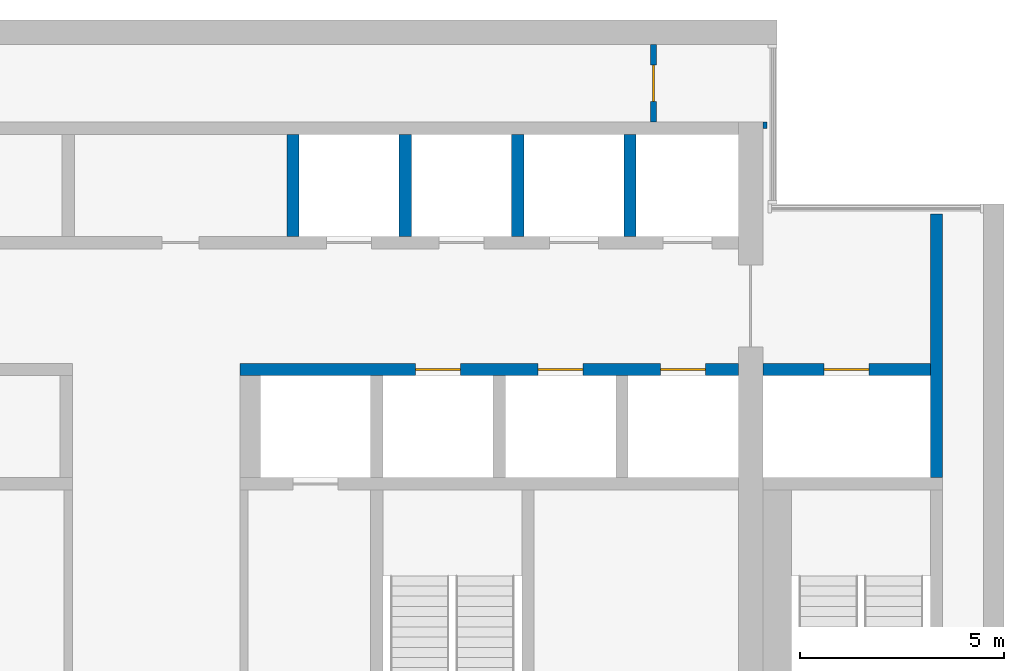
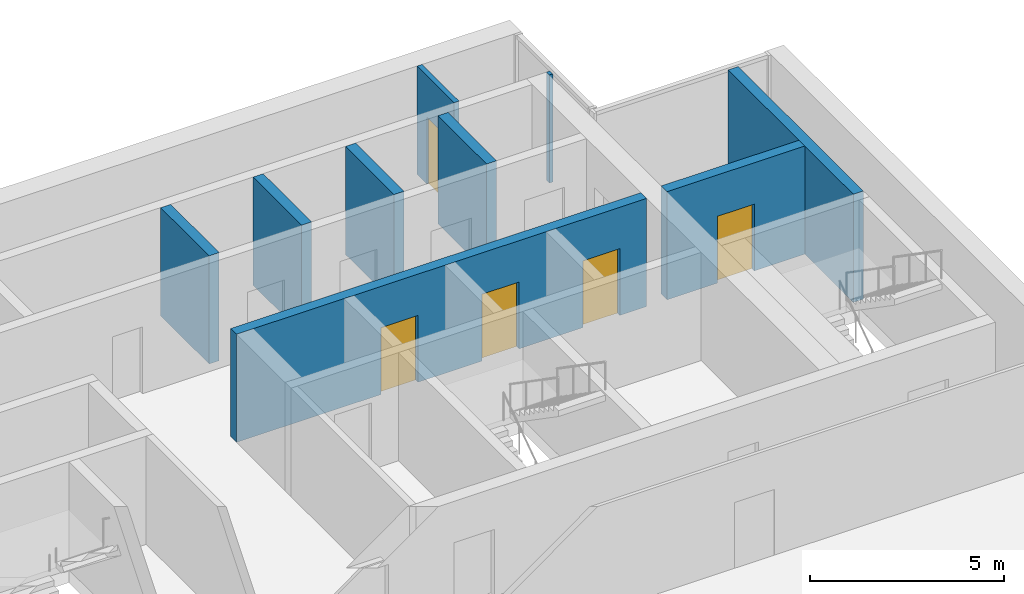
# One storey, part 11 of 14: 9 walls, 5 doors, 5 openings.
"""IFC4 building model written with IfcOpenShell, lengths in metres."""

from ifc_helpers import new_model, si_unit, direction, frame, frame_2d, origin, place, context, subcontext, project, spatial, rectangle, extrude, material, layer, layer_set, type_object, element, fill, save


model = new_model("IFC4")

# Units and contexts
model_context = context("Model", 3, precision=1e-05, world=origin(), true_north=direction((0.0, 1.0)))
body_context = subcontext(model_context, "Body", "Model", "MODEL_VIEW")
ifc_project = project(units=[si_unit("LENGTHUNIT", "METRE"), si_unit("AREAUNIT", "SQUARE_METRE"), si_unit("VOLUMEUNIT", "CUBIC_METRE"), si_unit("PLANEANGLEUNIT", "RADIAN"), si_unit("MASSUNIT", "GRAM", prefix="KILO")], contexts=[model_context])

# Site, building, storey
site_placement = place(None, origin())
site = spatial("IfcSite", under=ifc_project, at=site_placement, CompositionType="ELEMENT")
building_placement = place(site_placement, origin())
building = spatial("IfcBuilding", under=site, at=building_placement, Name="Calvaro Tower", CompositionType="ELEMENT")
storey_placement = place(building_placement, frame((0.0, 0.0, 258.35009765625)))
storey = spatial("IfcBuildingStorey", under=building, at=storey_placement, Name="L65", CompositionType="ELEMENT", Elevation=258.35009765625)

# Wall
ifc_material_1 = material(Name="Blockwork partition", Category="masonry")
ifc_layer_1 = layer(ifc_material_1, 0.10009765625)
ifc_layer_set_1 = layer_set([ifc_layer_1], Name="Blockwork partition")
wall_type_1 = type_object("IfcWallType", Name="Core partition 100 EI 60", PredefinedType="PARTITIONING", material=ifc_layer_set_1)
wall_1_placement = place(storey_placement, frame((60.14990234375, 43.35009765625, 0.0), z_axis=(0.0, 0.0, 1.0), x_axis=(0.0, 1.0, 0.0)))
element("IfcWall", 1, at=wall_1_placement, inside=storey, type_object=wall_type_1, Name="Core partition", PredefinedType="PARTITIONING", context=body_context, shape_type="SweptSolid", body=[
    extrude(rectangle(XDim=0.14990234375, YDim=0.10009765625, at=frame_2d((0.074951171875, 0.0))), origin(), (0.0, 0.0, 1.0), 3.39990234375),
])

# Wall, opening, door
ifc_material_2 = material(Name="Blockwork partition", Category="masonry")
ifc_layer_2 = layer(ifc_material_2, 0.14990234375)
ifc_layer_set_2 = layer_set([ifc_layer_2], Name="Blockwork partition")
wall_type_2 = type_object("IfcWallType", Name="Core partition 150 EI 60", PredefinedType="PARTITIONING", material=ifc_layer_set_2)
wall_2_placement = place(storey_placement, frame((57.425048828125, 45.39990234375, 0.0), z_axis=(0.0, 0.0, 1.0), x_axis=(0.0, -1.0, 0.0)))
wall_2 = element("IfcWall", 2, at=wall_2_placement, inside=storey, type_object=wall_type_2, Name="Core partition", PredefinedType="PARTITIONING", context=body_context, shape_type="SweptSolid", body=[
    extrude(rectangle(XDim=1.89990234375, YDim=0.14990234375, at=frame_2d((0.949951171875, 0.0))), origin(), (0.0, 0.0, 1.0), 3.39990234375),
])
opening_1_placement = place(wall_2_placement, frame((0.5, 0.0, 0.0)))
opening_1 = element("IfcOpeningElement", 3, at=opening_1_placement, cuts=wall_2, Name="Opening RD9C", PredefinedType="OPENING", context=body_context, shape_type="SweptSolid", body=[
    extrude(rectangle(XDim=0.89990234375, YDim=2.10009765625, at=frame_2d((0.449951171875, 1.050048828125))), frame((0.0, 0.0849609375, 0.0), z_axis=(0.0, -1.0, 0.0), x_axis=(1.0, 0.0, 0.0)), (0.0, 0.0, 1.0), 0.169921875),
])
ifc_material_3 = material(Name="Steel door set", Category="steel")
door_type_1 = type_object("IfcDoorType", Name="Room door 900 FD30", OperationType="SINGLE_SWING_LEFT", PredefinedType="DOOR", material=ifc_material_3)
door_1_placement = place(opening_1_placement, origin())
door_1 = element("IfcDoor", 4, at=door_1_placement, inside=storey, type_object=door_type_1, Name="Room door", OperationType="SINGLE_SWING_LEFT", OverallHeight=2.10009765625, OverallWidth=0.89990234375, PredefinedType="DOOR", context=body_context, shape_type="SweptSolid", body=[
    extrude(rectangle(XDim=0.89990234375, YDim=2.10009765625, at=frame_2d((0.449951171875, 1.050048828125))), frame((0.0, 0.02490234375, 0.0), z_axis=(0.0, -1.0, 0.0), x_axis=(1.0, 0.0, 0.0)), (0.0, 0.0, 1.0), 0.050048828125),
])
fill(opening_1, door_1)

# Wall
ifc_material_4 = material(Name="Concrete C40/50", Category="concrete")
ifc_layer_3 = layer(ifc_material_4, 0.300048828125)
ifc_layer_set_3 = layer_set([ifc_layer_3], Name="Concrete C40/50")
wall_type_3 = type_object("IfcWallType", Name="Core wall C40/50 300", PredefinedType="SHEAR", material=ifc_layer_set_3)
wall_3_placement = place(storey_placement, frame((64.35009765625, 34.800048828125, 0.0), z_axis=(0.0, 0.0, 1.0), x_axis=(0.0, 1.0, 0.0)))
element("IfcWall", 5, at=wall_3_placement, inside=storey, type_object=wall_type_3, Name="Core wall, boundary", PredefinedType="SHEAR", context=body_context, shape_type="SweptSolid", body=[
    extrude(rectangle(XDim=6.449951171875, YDim=0.300048828125, at=frame_2d((3.22509765625, 0.0))), origin(), (0.0, 0.0, 1.0), 3.39990234375),
])

# Wall, openings, doors
wall_4_placement = place(storey_placement, frame((47.300048828125, 37.449951171875, 0.0), z_axis=(0.0, 0.0, 1.0), x_axis=(1.0, 0.0, 0.0)))
wall_4 = element("IfcWall", 6, at=wall_4_placement, inside=storey, type_object=wall_type_3, Name="Core wall, lift shaft", PredefinedType="SHEAR", context=body_context, shape_type="SweptSolid", body=[
    extrude(rectangle(XDim=12.199951171875, YDim=0.300048828125, at=frame_2d((6.10009765625, 0.0))), origin(), (0.0, 0.0, 1.0), 3.39990234375),
])
opening_2_placement = place(wall_4_placement, frame((4.300048828125, 0.0, 0.0)))
opening_2 = element("IfcOpeningElement", 7, at=opening_2_placement, cuts=wall_4, Name="Opening HR1", PredefinedType="OPENING", context=body_context, shape_type="SweptSolid", body=[
    extrude(rectangle(XDim=1.10009765625, YDim=2.10009765625, at=frame_2d((0.550048828125, 1.050048828125))), frame((0.0, 0.159912109375, 0.0), z_axis=(0.0, -1.0, 0.0), x_axis=(1.0, 0.0, 0.0)), (0.0, 0.0, 1.0), 0.320068359375),
])
opening_3_placement = place(wall_4_placement, frame((7.300048828125, 0.0, 0.0)))
opening_3 = element("IfcOpeningElement", 8, at=opening_3_placement, cuts=wall_4, Name="Opening HR2", PredefinedType="OPENING", context=body_context, shape_type="SweptSolid", body=[
    extrude(rectangle(XDim=1.10009765625, YDim=2.10009765625, at=frame_2d((0.550048828125, 1.050048828125))), frame((0.0, 0.159912109375, 0.0), z_axis=(0.0, -1.0, 0.0), x_axis=(1.0, 0.0, 0.0)), (0.0, 0.0, 1.0), 0.320068359375),
])
opening_4_placement = place(wall_4_placement, frame((10.300048828125, 0.0, 0.0)))
opening_4 = element("IfcOpeningElement", 9, at=opening_4_placement, cuts=wall_4, Name="Opening HR3", PredefinedType="OPENING", context=body_context, shape_type="SweptSolid", body=[
    extrude(rectangle(XDim=1.10009765625, YDim=2.10009765625, at=frame_2d((0.550048828125, 1.050048828125))), frame((0.0, 0.159912109375, 0.0), z_axis=(0.0, -1.0, 0.0), x_axis=(1.0, 0.0, 0.0)), (0.0, 0.0, 1.0), 0.320068359375),
])
ifc_material_5 = material(Name="Stainless steel", Category="steel")
door_type_2 = type_object("IfcDoorType", Name="Landing door 1100 E 60", OperationType="SLIDING_TO_LEFT", PredefinedType="DOOR", material=ifc_material_5)
door_2_placement = place(opening_2_placement, origin())
door_2 = element("IfcDoor", 10, at=door_2_placement, inside=storey, type_object=door_type_2, Name="Landing door HR1", OperationType="SLIDING_TO_LEFT", OverallHeight=2.10009765625, OverallWidth=1.10009765625, PredefinedType="DOOR", context=body_context, shape_type="SweptSolid", body=[
    extrude(rectangle(XDim=1.10009765625, YDim=2.10009765625, at=frame_2d((0.550048828125, 1.050048828125))), frame((0.0, 0.02490234375, 0.0), z_axis=(0.0, -1.0, 0.0), x_axis=(1.0, 0.0, 0.0)), (0.0, 0.0, 1.0), 0.050048828125),
])
fill(opening_2, door_2)
door_3_placement = place(opening_3_placement, origin())
door_3 = element("IfcDoor", 11, at=door_3_placement, inside=storey, type_object=door_type_2, Name="Landing door HR2", OperationType="SLIDING_TO_LEFT", OverallHeight=2.10009765625, OverallWidth=1.10009765625, PredefinedType="DOOR", context=body_context, shape_type="SweptSolid", body=[
    extrude(rectangle(XDim=1.10009765625, YDim=2.10009765625, at=frame_2d((0.550048828125, 1.050048828125))), frame((0.0, 0.02490234375, 0.0), z_axis=(0.0, -1.0, 0.0), x_axis=(1.0, 0.0, 0.0)), (0.0, 0.0, 1.0), 0.050048828125),
])
fill(opening_3, door_3)
door_4_placement = place(opening_4_placement, origin())
door_4 = element("IfcDoor", 12, at=door_4_placement, inside=storey, type_object=door_type_2, Name="Landing door HR3", OperationType="SLIDING_TO_LEFT", OverallHeight=2.10009765625, OverallWidth=1.10009765625, PredefinedType="DOOR", context=body_context, shape_type="SweptSolid", body=[
    extrude(rectangle(XDim=1.10009765625, YDim=2.10009765625, at=frame_2d((0.550048828125, 1.050048828125))), frame((0.0, 0.02490234375, 0.0), z_axis=(0.0, -1.0, 0.0), x_axis=(1.0, 0.0, 0.0)), (0.0, 0.0, 1.0), 0.050048828125),
])
fill(opening_4, door_4)

# Wall, opening, door
wall_5_placement = place(storey_placement, frame((60.10009765625, 37.449951171875, 0.0), z_axis=(0.0, 0.0, 1.0), x_axis=(1.0, 0.0, 0.0)))
wall_5 = element("IfcWall", 13, at=wall_5_placement, inside=storey, type_object=wall_type_3, Name="Core wall, lift shaft", PredefinedType="SHEAR", context=body_context, shape_type="SweptSolid", body=[
    extrude(rectangle(XDim=4.099853515625, YDim=0.300048828125, at=frame_2d((2.0498046875, 0.0))), origin(), (0.0, 0.0, 1.0), 3.39990234375),
])
opening_5_placement = place(wall_5_placement, frame((1.5, 0.0, 0.0)))
opening_5 = element("IfcOpeningElement", 14, at=opening_5_placement, cuts=wall_5, Name="Opening FF3", PredefinedType="OPENING", context=body_context, shape_type="SweptSolid", body=[
    extrude(rectangle(XDim=1.10009765625, YDim=2.10009765625, at=frame_2d((0.550048828125, 1.050048828125))), frame((0.0, 0.159912109375, 0.0), z_axis=(0.0, -1.0, 0.0), x_axis=(1.0, 0.0, 0.0)), (0.0, 0.0, 1.0), 0.320068359375),
])
door_5_placement = place(opening_5_placement, origin())
door_5 = element("IfcDoor", 15, at=door_5_placement, inside=storey, type_object=door_type_2, Name="Landing door FF3", OperationType="SLIDING_TO_LEFT", OverallHeight=2.10009765625, OverallWidth=1.10009765625, PredefinedType="DOOR", context=body_context, shape_type="SweptSolid", body=[
    extrude(rectangle(XDim=1.10009765625, YDim=2.10009765625, at=frame_2d((0.550048828125, 1.050048828125))), frame((0.0, 0.02490234375, 0.0), z_axis=(0.0, -1.0, 0.0), x_axis=(1.0, 0.0, 0.0)), (0.0, 0.0, 1.0), 0.050048828125),
])
fill(opening_5, door_5)

# Walls
for number, where, z_axis, x_axis, name in (
    (16, (48.60009765625, 40.699951171875, 0.0), (0.0, 0.0, 1.0), (0.0, 1.0, 0.0), "Core wall, lift shaft"),
    (17, (51.35009765625, 40.699951171875, 0.0), (0.0, 0.0, 1.0), (0.0, 1.0, 0.0), "Core wall, lift shaft"),
    (18, (54.10009765625, 40.699951171875, 0.0), (0.0, 0.0, 1.0), (0.0, 1.0, 0.0), "Core wall, lift shaft"),
    (19, (56.85009765625, 40.699951171875, 0.0), (0.0, 0.0, 1.0), (0.0, 1.0, 0.0), "Core wall, lift shaft"),
):
    element("IfcWall", number, at=place(storey_placement, frame(where, z_axis=z_axis, x_axis=x_axis)), inside=storey, type_object=wall_type_3, Name=name, PredefinedType="SHEAR", context=body_context, shape_type="SweptSolid", body=[
        extrude(rectangle(XDim=2.5, YDim=0.300048828125, at=frame_2d((1.25, 0.0))), origin(), (0.0, 0.0, 1.0), 3.39990234375),
    ])

save(model, "model.ifc")
